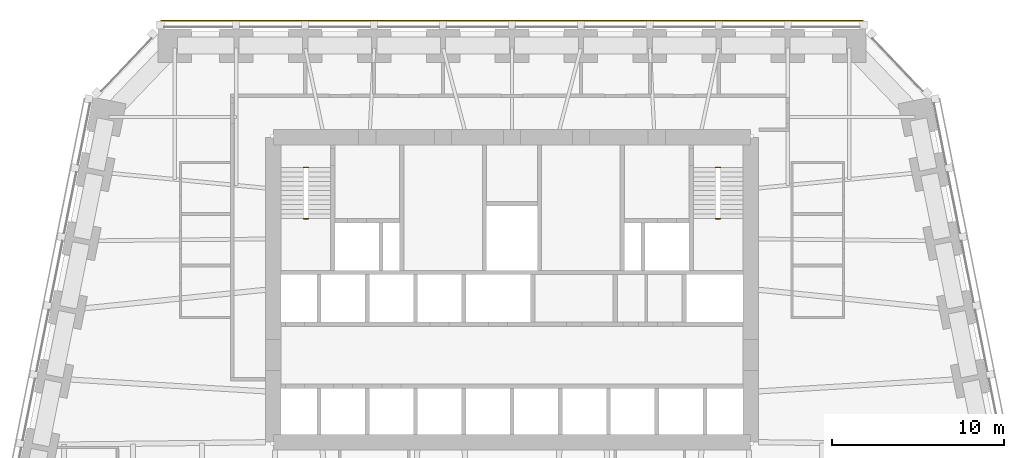
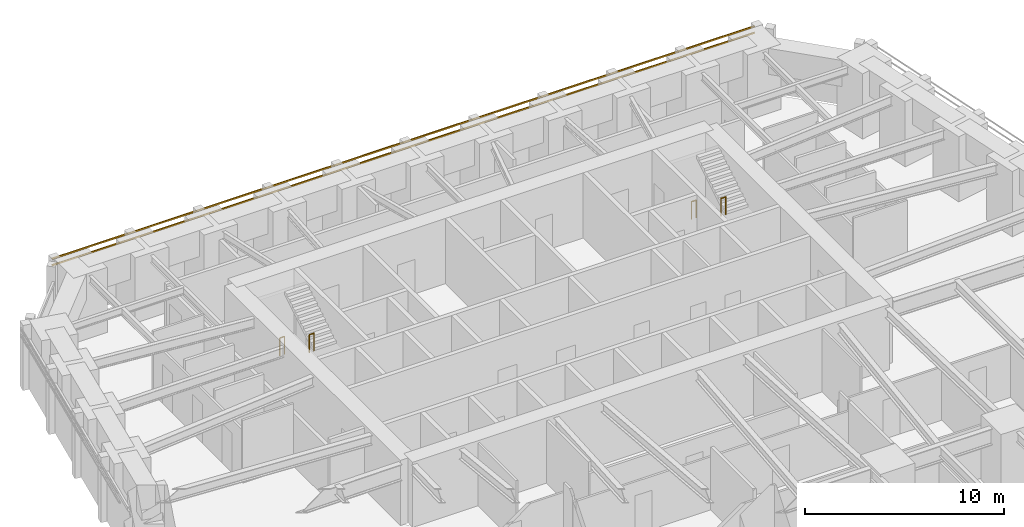
# One storey, part 10 of 10: 4 railings, 2 shading devices.
"""IFC4 building model written with IfcOpenShell, lengths in metres."""

from ifc_helpers import new_model, si_unit, direction, frame, origin, origin_2d, place, context, subcontext, project, spatial, rectangle, circle, extrude, material, material_profile, profile_set, type_object, element, save


model = new_model("IFC4")

# Units and contexts
model_context = context("Model", 3, precision=1e-05, world=origin(), true_north=direction((0.0, 1.0)))
body_context = subcontext(model_context, "Body", "Model", "MODEL_VIEW")
ifc_project = project(units=[si_unit("LENGTHUNIT", "METRE"), si_unit("AREAUNIT", "SQUARE_METRE"), si_unit("VOLUMEUNIT", "CUBIC_METRE"), si_unit("PLANEANGLEUNIT", "RADIAN"), si_unit("MASSUNIT", "GRAM", prefix="KILO")], contexts=[model_context])

# Site, building, storey
site_placement = place(None, origin())
site = spatial("IfcSite", under=ifc_project, at=site_placement, CompositionType="ELEMENT")
building_placement = place(site_placement, origin())
building = spatial("IfcBuilding", under=site, at=building_placement, Name="Isbrekke Arena Tower", CompositionType="ELEMENT")
storey_placement = place(building_placement, frame((0.0, 0.0, 80.0)))
storey = spatial("IfcBuildingStorey", under=building, at=storey_placement, Name="L17", CompositionType="ELEMENT", Elevation=80.0)

# Shading devices
ifc_material_1 = material(Name="Terracotta", Category="masonry")
ifc_material_profile = material_profile(ifc_material_1, rectangle(XDim=0.06005859375, YDim=0.06005859375, at=origin_2d()), Name="BAGUETTE 60X60")
ifc_profile_set = profile_set([ifc_material_profile], Name="Terracotta")
shading_device_type = type_object("IfcShadingDeviceType", Name="BG1 TERRACOTTA BAGUETTE 60 x 60", PredefinedType="USERDEFINED", material=ifc_profile_set)
for number, where, z_axis, x_axis, name in (
    (1, (20.39990234375, 30.6298828125, 3.280029296875), (-1.0, 0.0, 0.0), (0.0, -1.0, 0.0), "BG1 terracotta baguette N1 L17"),
    (2, (20.39990234375, 30.6298828125, 3.679931640625), (-1.0, 0.0, 0.0), (0.0, -1.0, 0.0), "BG1 terracotta baguette N2 L17"),
):
    element("IfcShadingDevice", number, at=place(storey_placement, frame(where, z_axis=z_axis, x_axis=x_axis)), inside=storey, type_object=shading_device_type, Name=name, ObjectType="TERRACOTTA BAGUETTE", PredefinedType="USERDEFINED", context=body_context, shape_type="SweptSolid", body=[
        extrude(rectangle(XDim=0.06005859375, YDim=0.06005859375, at=origin_2d()), origin(), (0.0, 0.0, 1.0), 40.7998046875),
    ])

# Railings
ifc_material_2 = material(Name="Steel stair guard, vertical bars, steel handrail", Category="steel")
railing_type = type_object("IfcRailingType", Name="GR3 STAIR WELL GUARD 1100", PredefinedType="GUARDRAIL", material=ifc_material_2)
for number, where, name in (
    (3, (-12.10009765625, 22.10009765625, 0.0), "GR3 stair well guard ST1 L17"),
    (4, (-12.10009765625, 19.1298828125, 2.0), "GR3 stair well guard ST1 L17"),
    (5, (11.824951171875, 22.10009765625, 0.0), "GR3 stair well guard ST2 L17"),
    (6, (11.824951171875, 19.1298828125, 2.0), "GR3 stair well guard ST2 L17"),
):
    element("IfcRailing", number, at=place(storey_placement, frame(where)), inside=storey, type_object=railing_type, Name=name, PredefinedType="GUARDRAIL", context=body_context, shape_type="SweptSolid", body=[
        extrude(circle(Radius=0.02392578125, at=origin_2d()), frame((0.0, 0.0, 1.076171875), z_axis=(1.0, 0.0, 0.0), x_axis=(0.0, 1.0, 0.0)), (0.0, 0.0, 1.0), 0.275146484375),
        extrude(circle(Radius=0.02099609375, at=origin_2d()), origin(), (0.0, 0.0, 1.0), 1.052001953125),
        extrude(circle(Radius=0.02099609375, at=origin_2d()), frame((0.275146484375, 0.0, 0.0)), (0.0, 0.0, 1.0), 1.052001953125),
    ])

save(model, "model.ifc")
